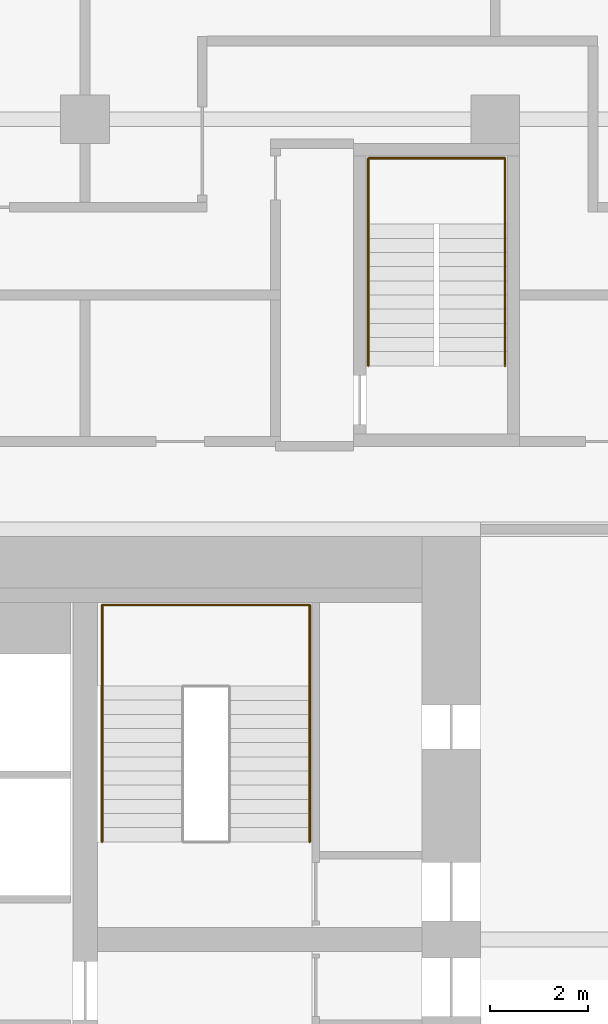
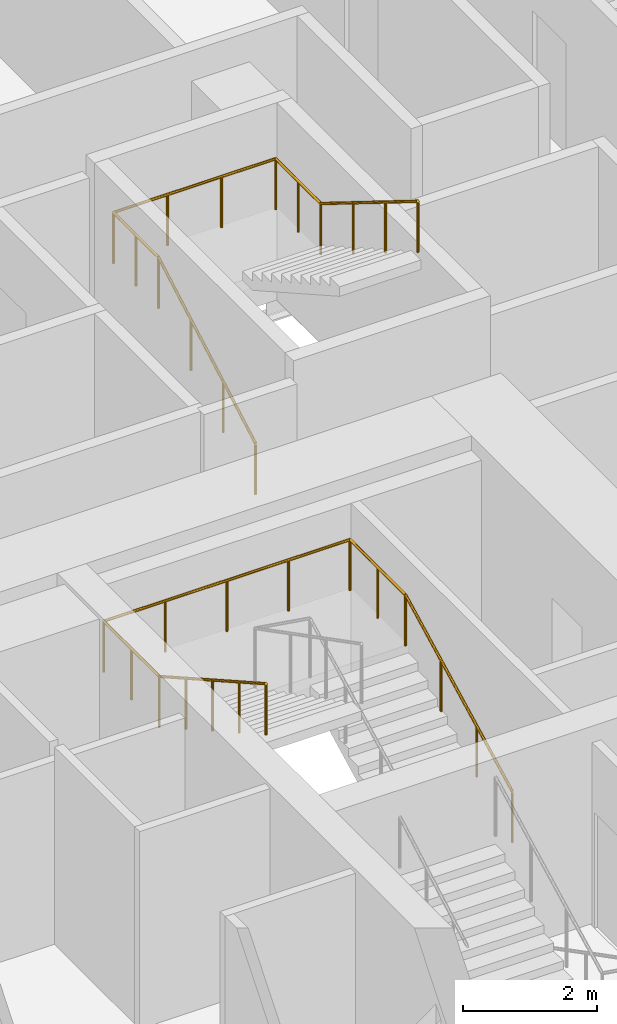
# One storey, part 26 of 26: 2 railings.
"""IFC4 building model written with IfcOpenShell, lengths in metres."""

import ifcopenshell
import ifcopenshell.guid

model = None  # the IFC model being written
_history = None  # IfcOwnerHistory: only IFC2X3 demands one
_inside = {}  # id of a spatial element -> (the spatial element, [elements in it])
_under = {}  # id of a project, library or spatial element -> (it, [spatial elements below it])
_declared = {}  # id of a project -> (the project, [libraries it declares])
_typed = {}  # id of a type object -> (the type object, [elements of that type])
_made_of = {}  # id of a material, layer set ... -> (it, [elements and type objects made of it])


def new_model(schema):
    """Start an empty IFC model of exactly this schema.

    Asked for "IFC4X3", IfcOpenShell would pick the latest addendum, in which some entities
    have other attributes; the version numbers below select the first issue.
    IFC2X3 requires an IfcOwnerHistory on every rooted entity: one is made here for all.
    """
    global model, _history
    if schema == "IFC4X3":
        model = ifcopenshell.file(schema_version=(4, 3, 0, 0))
    else:
        model = ifcopenshell.file(schema=schema)
    _inside.clear()
    _under.clear()
    _declared.clear()
    _typed.clear()
    _made_of.clear()
    _history = None
    if model.schema == "IFC2X3":
        org = make("IfcOrganization", Name="unknown")
        user = make(
            "IfcPersonAndOrganization",
            ThePerson=make("IfcPerson", FamilyName="unknown"),
            TheOrganization=org,
        )
        app = make(
            "IfcApplication",
            ApplicationDeveloper=org,
            Version="unknown",
            ApplicationFullName="unknown",
            ApplicationIdentifier="unknown",
        )
        _history = make(
            "IfcOwnerHistory",
            OwningUser=user,
            OwningApplication=app,
            ChangeAction="ADDED",
            CreationDate=0,
        )
    return model


def make(cls, **values):
    """One entity of the class cls with the attributes given. An attribute that is None is left unset."""
    return model.create_entity(
        cls, **{name: value for name, value in values.items() if value is not None}
    )


def rooted(cls, **values):
    """An entity with a GlobalId (a new one), such as an element, a storey or a relation."""
    return make(cls, GlobalId=ifcopenshell.guid.new(), OwnerHistory=_history, **values)


def si_unit(unit_type, name, prefix=None):
    """IfcSIUnit, for example si_unit("LENGTHUNIT", "METRE", prefix="MILLI")."""
    return make("IfcSIUnit", UnitType=unit_type, Prefix=prefix, Name=name)


def assignment(units):
    """IfcUnitAssignment: the units of a project."""
    return None if units is None else make("IfcUnitAssignment", Units=units)


def point(xyz):
    """IfcCartesianPoint."""
    return None if xyz is None else make("IfcCartesianPoint", Coordinates=xyz)


def direction(xyz):
    """IfcDirection."""
    return None if xyz is None else make("IfcDirection", DirectionRatios=xyz)


def frame(location, z_axis=None, x_axis=None):
    """IfcAxis2Placement3D, a coordinate frame: its origin and axes. An axis left out is left unset."""
    return make(
        "IfcAxis2Placement3D",
        Location=point(location),
        Axis=direction(z_axis),
        RefDirection=direction(x_axis),
    )


def frame_2d(location, x_axis=None):
    """IfcAxis2Placement2D, a coordinate frame in the plane: its origin and x axis."""
    return make(
        "IfcAxis2Placement2D", Location=point(location), RefDirection=direction(x_axis)
    )


def origin():
    """The frame at (0, 0, 0) with its axes left unset."""
    return frame((0.0, 0.0, 0.0))


def origin_2d():
    """The frame at (0, 0) in the plane with its x axis left unset."""
    return frame_2d((0.0, 0.0))


def place(relative_to, where):
    """IfcLocalPlacement: puts the frame where relative to a parent placement (None: the world)."""
    return make(
        "IfcLocalPlacement", PlacementRelTo=relative_to, RelativePlacement=where
    )


def context(
    kind, dimensions, precision=None, world=None, true_north=None, identifier=None
):
    """IfcGeometricRepresentationContext, for example the 3D "Model" context."""
    return make(
        "IfcGeometricRepresentationContext",
        ContextIdentifier=identifier,
        ContextType=kind,
        CoordinateSpaceDimension=dimensions,
        Precision=precision,
        WorldCoordinateSystem=world,
        TrueNorth=true_north,
    )


def subcontext(parent, identifier, kind, view, scale=None):
    """IfcGeometricRepresentationSubContext, for example "Body" below "Model"."""
    return make(
        "IfcGeometricRepresentationSubContext",
        ContextIdentifier=identifier,
        ContextType=kind,
        ParentContext=parent,
        TargetScale=scale,
        TargetView=view,
    )


def project(units=None, contexts=None):
    """IfcProject with its units and contexts."""
    return rooted(
        "IfcProject",
        Name="project",
        RepresentationContexts=contexts,
        UnitsInContext=assignment(units),
    )


def spatial(cls, under=None, at=None, **own):
    """A site, building, storey or space (cls), placed at a placement, below another one or the project."""
    s = rooted(cls, ObjectPlacement=at, **own)
    if under is not None:
        _under.setdefault(under.id(), (under, []))[1].append(s)
    return s


def profile(cls, at=None, kind="AREA", **sizes):
    """A parametric profile (cls). Its sizes go by their IFC names, for example OverallWidth=200.0."""
    return make(cls, ProfileType=kind, Position=at, **sizes)


def circle(**sizes):
    """IfcCircleProfileDef."""
    return profile("IfcCircleProfileDef", **sizes)


def extrude(swept, where, along, depth):
    """IfcExtrudedAreaSolid: the profile swept, set in the frame where, extruded along a direction by depth."""
    return make(
        "IfcExtrudedAreaSolid",
        SweptArea=swept,
        Position=where,
        ExtrudedDirection=direction(along),
        Depth=depth,
    )


def shape(context_of_items, identifier, shape_type, items):
    """IfcShapeRepresentation: the items that make up one representation, for example the "Body"."""
    return make(
        "IfcShapeRepresentation",
        ContextOfItems=context_of_items,
        RepresentationIdentifier=identifier,
        RepresentationType=shape_type,
        Items=items,
    )


def material(Name=None, Category=None):
    """IfcMaterial."""
    return make("IfcMaterial", Name=Name, Category=Category)


def made_of(thing, what):
    """Note that an element or type object is made of a material, layer set ...; save() writes the relation."""
    if what is not None:
        _made_of.setdefault(what.id(), (what, []))[1].append(thing)
    return thing


def type_object(cls, material=None, **own):
    """A type object (cls), such as IfcWallType, which elements share."""
    return made_of(rooted(cls, **own), material)


def element(
    cls,
    number,
    at=None,
    inside=None,
    cuts=None,
    type_object=None,
    material=None,
    context=None,
    identifier="Body",
    shape_type=None,
    held_by="IfcProductDefinitionShape",
    body=None,
    shapes=None,
    **own,
):
    """One element of the class cls, such as IfcWall. Its Tag is "e" and its number.

    at: its placement. inside: the storey or other place that contains it. cuts: it is an
    opening in that element (IfcRelVoidsElement). A single representation is given by context,
    identifier, shape_type and body (its items); several are given by shapes. held_by: the class
    of the entity that holds the representations. save() writes the other relations.
    """
    e = rooted(cls, Tag="e%d" % number, ObjectPlacement=at, **own)
    if body is not None:
        shapes = [shape(context, identifier, shape_type, body)]
    if shapes is not None:
        e.Representation = make(held_by, Representations=shapes)
    if inside is not None:
        _inside.setdefault(inside.id(), (inside, []))[1].append(e)
    if cuts is not None:
        rooted(
            "IfcRelVoidsElement", RelatingBuildingElement=cuts, RelatedOpeningElement=e
        )
    if type_object is not None:
        _typed.setdefault(type_object.id(), (type_object, []))[1].append(e)
    return made_of(e, material)


def aggregate(whole, parts):
    """IfcRelAggregates: a whole, such as a stair, and the parts it consists of."""
    return rooted("IfcRelAggregates", RelatingObject=whole, RelatedObjects=parts)


def save(model, path):
    """Write the relations noted so far, then the file.

    IfcRelAggregates (storeys below a building ...), IfcRelContainedInSpatialStructure (elements
    in a storey), IfcRelDefinesByType, IfcRelAssociatesMaterial and IfcRelDeclares: one each for
    every whole, place, type object, material and project.
    """
    for whole, parts in _under.values():
        aggregate(whole, parts)
    for where, things in _inside.values():
        rooted(
            "IfcRelContainedInSpatialStructure",
            RelatedElements=things,
            RelatingStructure=where,
        )
    for kind, things in _typed.values():
        rooted("IfcRelDefinesByType", RelatedObjects=things, RelatingType=kind)
    for what, things in _made_of.values():
        rooted("IfcRelAssociatesMaterial", RelatedObjects=things, RelatingMaterial=what)
    for by, libraries in _declared.values():
        rooted("IfcRelDeclares", RelatingContext=by, RelatedDefinitions=libraries)
    model.write(path)


model = new_model("IFC4")

# Units and contexts
model_context = context("Model", 3, precision=1e-05, world=origin(), true_north=direction((0.0, 1.0)))
body_context = subcontext(model_context, "Body", "Model", "MODEL_VIEW")
ifc_project = project(units=[si_unit("LENGTHUNIT", "METRE"), si_unit("AREAUNIT", "SQUARE_METRE"), si_unit("VOLUMEUNIT", "CUBIC_METRE"), si_unit("PLANEANGLEUNIT", "RADIAN"), si_unit("MASSUNIT", "GRAM", prefix="KILO")], contexts=[model_context])

# Site, building, storey
site_placement = place(None, origin())
site = spatial("IfcSite", under=ifc_project, at=site_placement, CompositionType="ELEMENT")
building_placement = place(site_placement, origin())
building = spatial("IfcBuilding", under=site, at=building_placement, Name="Marenta Gate Hotel Tower", CompositionType="ELEMENT")
storey_placement = place(building_placement, frame((0.0, 0.0, 43.699951171875)))
storey = spatial("IfcBuildingStorey", under=building, at=storey_placement, Name="L08", CompositionType="ELEMENT", Elevation=43.699951171875)

# Railings
ifc_material = material(Name="Stainless steel", Category="steel")
railing_type = type_object("IfcRailingType", Name="Core stair handrail 950", PredefinedType="HANDRAIL", material=ifc_material)
railing_1_placement = place(storey_placement, frame((8.800048828125, 10.39990234375, 0.150146484375)))
element("IfcRailing", 1, at=railing_1_placement, inside=storey, type_object=railing_type, Name="HR-950 L08-KR-ST4-1", PredefinedType="HANDRAIL", context=body_context, shape_type="SweptSolid", body=[
    extrude(circle(Radius=0.02392578125, at=origin_2d()), frame((0.0, 0.0, 0.92578125), z_axis=(0.0, 0.888239641807, 0.459380385653), x_axis=(-1.0, 0.0, 0.0)), (0.0, 0.0, 1.0), 3.591552734375),
    extrude(circle(Radius=0.02392578125, at=origin_2d()), frame((0.0, 3.190185546875, 2.57568359375), z_axis=(0.0, 1.0, 0.0), x_axis=(-1.0, 0.0, 0.0)), (0.0, 0.0, 1.0), 1.659912109375),
    extrude(circle(Radius=0.02392578125, at=origin_2d()), frame((0.0, 4.85009765625, 2.57568359375), z_axis=(-1.0, 0.0, 0.0), x_axis=(0.0, -1.0, 0.0)), (0.0, 0.0, 1.0), 4.25),
    extrude(circle(Radius=0.02392578125, at=origin_2d()), frame((-4.25, 4.85009765625, 2.57568359375), z_axis=(0.0, -1.0, 0.0), x_axis=(1.0, 0.0, 0.0)), (0.0, 0.0, 1.0), 1.659912109375),
    extrude(circle(Radius=0.02392578125, at=origin_2d()), frame((-4.25, 3.190185546875, 2.57568359375), z_axis=(0.0, -0.870925075533, 0.491415824742), x_axis=(1.0, 0.0, 0.0)), (0.0, 0.0, 1.0), 3.6630859375),
    extrude(circle(Radius=0.02099609375, at=origin_2d()), origin(), (0.0, 0.0, 1.0), 0.90185546875),
    extrude(circle(Radius=0.02099609375, at=origin_2d()), frame((0.0, 1.0634765625, 0.550048828125)), (0.0, 0.0, 1.0), 0.90185546875),
    extrude(circle(Radius=0.02099609375, at=origin_2d()), frame((0.0, 2.126708984375, 1.099853515625)), (0.0, 0.0, 1.0), 0.90185546875),
    extrude(circle(Radius=0.02099609375, at=origin_2d()), frame((0.0, 3.190185546875, 1.64990234375)), (0.0, 0.0, 1.0), 0.90185546875),
    extrude(circle(Radius=0.02099609375, at=origin_2d()), frame((0.0, 4.02001953125, 1.64990234375)), (0.0, 0.0, 1.0), 0.90185546875),
    extrude(circle(Radius=0.02099609375, at=origin_2d()), frame((0.0, 4.85009765625, 1.64990234375)), (0.0, 0.0, 1.0), 0.90185546875),
    extrude(circle(Radius=0.02099609375, at=origin_2d()), frame((-1.0625, 4.85009765625, 1.64990234375)), (0.0, 0.0, 1.0), 0.90185546875),
    extrude(circle(Radius=0.02099609375, at=origin_2d()), frame((-2.125, 4.85009765625, 1.64990234375)), (0.0, 0.0, 1.0), 0.90185546875),
    extrude(circle(Radius=0.02099609375, at=origin_2d()), frame((-3.1875, 4.85009765625, 1.64990234375)), (0.0, 0.0, 1.0), 0.90185546875),
    extrude(circle(Radius=0.02099609375, at=origin_2d()), frame((-4.25, 4.85009765625, 1.64990234375)), (0.0, 0.0, 1.0), 0.90185546875),
    extrude(circle(Radius=0.02099609375, at=origin_2d()), frame((-4.25, 4.02001953125, 1.64990234375)), (0.0, 0.0, 1.0), 0.90185546875),
    extrude(circle(Radius=0.02099609375, at=origin_2d()), frame((-4.25, 3.190185546875, 1.64990234375)), (0.0, 0.0, 1.0), 0.90185546875),
    extrude(circle(Radius=0.02099609375, at=origin_2d()), frame((-4.25, 2.392578125, 2.099853515625)), (0.0, 0.0, 1.0), 0.90185546875),
    extrude(circle(Radius=0.02099609375, at=origin_2d()), frame((-4.25, 1.59521484375, 2.5498046875)), (0.0, 0.0, 1.0), 0.90185546875),
    extrude(circle(Radius=0.02099609375, at=origin_2d()), frame((-4.25, 0.797607421875, 3.0)), (0.0, 0.0, 1.0), 0.90185546875),
    extrude(circle(Radius=0.02099609375, at=origin_2d()), frame((-4.25, 0.0, 3.449951171875)), (0.0, 0.0, 1.0), 0.90185546875),
])
railing_2_placement = place(storey_placement, frame((10.0, 20.14990234375, 0.16357421875)))
element("IfcRailing", 2, at=railing_2_placement, inside=storey, type_object=railing_type, Name="HR-950 L08-RS-Z1-4-KR-1", PredefinedType="HANDRAIL", context=body_context, shape_type="SweptSolid", body=[
    extrude(circle(Radius=0.02392578125, at=origin_2d()), frame((0.0, 0.0, 0.92578125), z_axis=(0.0, 0.870914908162, 0.491433843708), x_axis=(-1.0, 0.0, 0.0)), (0.0, 0.0, 1.0), 3.330078125),
    extrude(circle(Radius=0.02392578125, at=origin_2d()), frame((0.0, 2.900146484375, 2.5625), z_axis=(0.0, 1.0, 0.0), x_axis=(-1.0, 0.0, 0.0)), (0.0, 0.0, 1.0), 1.349853515625),
    extrude(circle(Radius=0.02392578125, at=origin_2d()), frame((0.0, 4.25, 2.5625), z_axis=(1.0, 0.0, 0.0), x_axis=(0.0, 1.0, 0.0)), (0.0, 0.0, 1.0), 2.800048828125),
    extrude(circle(Radius=0.02392578125, at=origin_2d()), frame((2.800048828125, 4.25, 2.5625), z_axis=(0.0, -1.0, 0.0), x_axis=(1.0, 0.0, 0.0)), (0.0, 0.0, 1.0), 1.349853515625),
    extrude(circle(Radius=0.02392578125, at=origin_2d()), frame((2.800048828125, 2.900146484375, 2.5625), z_axis=(0.0, -0.849645691689, 0.527353959494), x_axis=(1.0, 0.0, 0.0)), (0.0, 0.0, 1.0), 3.413330078125),
    extrude(circle(Radius=0.02099609375, at=origin_2d()), origin(), (0.0, 0.0, 1.0), 0.90185546875),
    extrude(circle(Radius=0.02099609375, at=origin_2d()), frame((0.0, 0.966796875, 0.54541015625)), (0.0, 0.0, 1.0), 0.90185546875),
    extrude(circle(Radius=0.02099609375, at=origin_2d()), frame((0.0, 1.933349609375, 1.091064453125)), (0.0, 0.0, 1.0), 0.90185546875),
    extrude(circle(Radius=0.02099609375, at=origin_2d()), frame((0.0, 2.900146484375, 1.636474609375)), (0.0, 0.0, 1.0), 0.90185546875),
    extrude(circle(Radius=0.02099609375, at=origin_2d()), frame((0.0, 3.5751953125, 1.636474609375)), (0.0, 0.0, 1.0), 0.90185546875),
    extrude(circle(Radius=0.02099609375, at=origin_2d()), frame((0.0, 4.25, 1.636474609375)), (0.0, 0.0, 1.0), 0.90185546875),
    extrude(circle(Radius=0.02099609375, at=origin_2d()), frame((0.933349609375, 4.25, 1.636474609375)), (0.0, 0.0, 1.0), 0.90185546875),
    extrude(circle(Radius=0.02099609375, at=origin_2d()), frame((1.86669921875, 4.25, 1.636474609375)), (0.0, 0.0, 1.0), 0.90185546875),
    extrude(circle(Radius=0.02099609375, at=origin_2d()), frame((2.800048828125, 4.25, 1.636474609375)), (0.0, 0.0, 1.0), 0.90185546875),
    extrude(circle(Radius=0.02099609375, at=origin_2d()), frame((2.800048828125, 3.5751953125, 1.636474609375)), (0.0, 0.0, 1.0), 0.90185546875),
    extrude(circle(Radius=0.02099609375, at=origin_2d()), frame((2.800048828125, 2.900146484375, 1.636474609375)), (0.0, 0.0, 1.0), 0.90185546875),
    extrude(circle(Radius=0.02099609375, at=origin_2d()), frame((2.800048828125, 1.933349609375, 2.236572265625)), (0.0, 0.0, 1.0), 0.90185546875),
    extrude(circle(Radius=0.02099609375, at=origin_2d()), frame((2.800048828125, 0.966796875, 2.83642578125)), (0.0, 0.0, 1.0), 0.90185546875),
    extrude(circle(Radius=0.02099609375, at=origin_2d()), frame((2.800048828125, 0.0, 3.4365234375)), (0.0, 0.0, 1.0), 0.90185546875),
])

save(model, "model.ifc")
